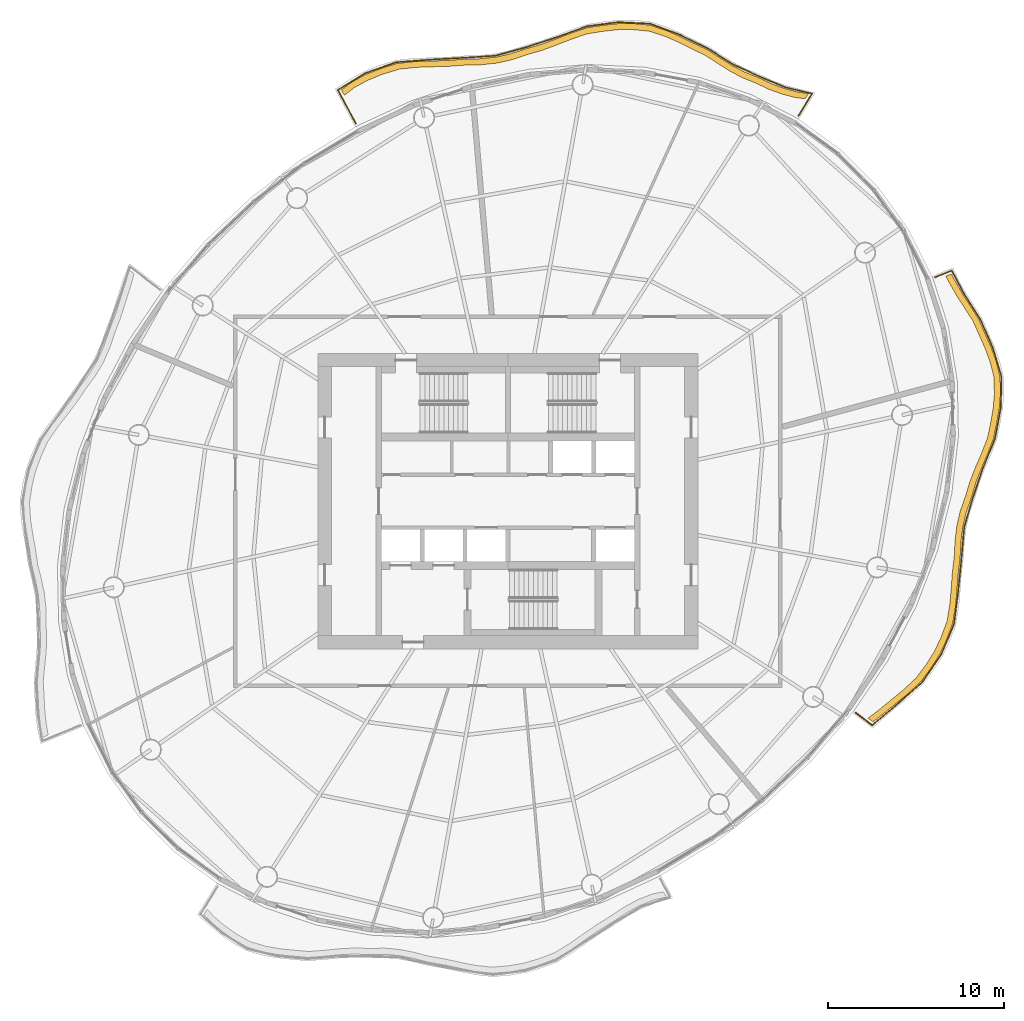
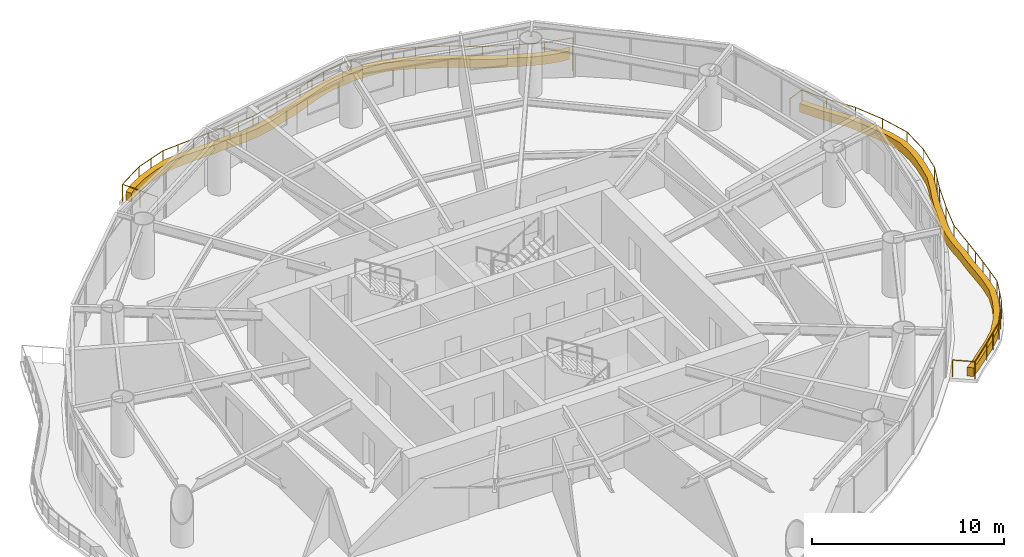
# One storey, part 14 of 14: 2 coverings, 2 railings.
"""IFC4 building model written with IfcOpenShell, lengths in metres."""

import ifcopenshell
import ifcopenshell.guid

model = None  # the IFC model being written
_history = None  # IfcOwnerHistory: only IFC2X3 demands one
_inside = {}  # id of a spatial element -> (the spatial element, [elements in it])
_under = {}  # id of a project, library or spatial element -> (it, [spatial elements below it])
_declared = {}  # id of a project -> (the project, [libraries it declares])
_typed = {}  # id of a type object -> (the type object, [elements of that type])
_made_of = {}  # id of a material, layer set ... -> (it, [elements and type objects made of it])


def new_model(schema):
    """Start an empty IFC model of exactly this schema.

    Asked for "IFC4X3", IfcOpenShell would pick the latest addendum, in which some entities
    have other attributes; the version numbers below select the first issue.
    IFC2X3 requires an IfcOwnerHistory on every rooted entity: one is made here for all.
    """
    global model, _history
    if schema == "IFC4X3":
        model = ifcopenshell.file(schema_version=(4, 3, 0, 0))
    else:
        model = ifcopenshell.file(schema=schema)
    _inside.clear()
    _under.clear()
    _declared.clear()
    _typed.clear()
    _made_of.clear()
    _history = None
    if model.schema == "IFC2X3":
        org = make("IfcOrganization", Name="unknown")
        user = make(
            "IfcPersonAndOrganization",
            ThePerson=make("IfcPerson", FamilyName="unknown"),
            TheOrganization=org,
        )
        app = make(
            "IfcApplication",
            ApplicationDeveloper=org,
            Version="unknown",
            ApplicationFullName="unknown",
            ApplicationIdentifier="unknown",
        )
        _history = make(
            "IfcOwnerHistory",
            OwningUser=user,
            OwningApplication=app,
            ChangeAction="ADDED",
            CreationDate=0,
        )
    return model


def make(cls, **values):
    """One entity of the class cls with the attributes given. An attribute that is None is left unset."""
    return model.create_entity(
        cls, **{name: value for name, value in values.items() if value is not None}
    )


def rooted(cls, **values):
    """An entity with a GlobalId (a new one), such as an element, a storey or a relation."""
    return make(cls, GlobalId=ifcopenshell.guid.new(), OwnerHistory=_history, **values)


def si_unit(unit_type, name, prefix=None):
    """IfcSIUnit, for example si_unit("LENGTHUNIT", "METRE", prefix="MILLI")."""
    return make("IfcSIUnit", UnitType=unit_type, Prefix=prefix, Name=name)


def assignment(units):
    """IfcUnitAssignment: the units of a project."""
    return None if units is None else make("IfcUnitAssignment", Units=units)


def point(xyz):
    """IfcCartesianPoint."""
    return None if xyz is None else make("IfcCartesianPoint", Coordinates=xyz)


def direction(xyz):
    """IfcDirection."""
    return None if xyz is None else make("IfcDirection", DirectionRatios=xyz)


def frame(location, z_axis=None, x_axis=None):
    """IfcAxis2Placement3D, a coordinate frame: its origin and axes. An axis left out is left unset."""
    return make(
        "IfcAxis2Placement3D",
        Location=point(location),
        Axis=direction(z_axis),
        RefDirection=direction(x_axis),
    )


def frame_2d(location, x_axis=None):
    """IfcAxis2Placement2D, a coordinate frame in the plane: its origin and x axis."""
    return make(
        "IfcAxis2Placement2D", Location=point(location), RefDirection=direction(x_axis)
    )


def origin():
    """The frame at (0, 0, 0) with its axes left unset."""
    return frame((0.0, 0.0, 0.0))


def origin_2d():
    """The frame at (0, 0) in the plane with its x axis left unset."""
    return frame_2d((0.0, 0.0))


def place(relative_to, where):
    """IfcLocalPlacement: puts the frame where relative to a parent placement (None: the world)."""
    return make(
        "IfcLocalPlacement", PlacementRelTo=relative_to, RelativePlacement=where
    )


def context(
    kind, dimensions, precision=None, world=None, true_north=None, identifier=None
):
    """IfcGeometricRepresentationContext, for example the 3D "Model" context."""
    return make(
        "IfcGeometricRepresentationContext",
        ContextIdentifier=identifier,
        ContextType=kind,
        CoordinateSpaceDimension=dimensions,
        Precision=precision,
        WorldCoordinateSystem=world,
        TrueNorth=true_north,
    )


def subcontext(parent, identifier, kind, view, scale=None):
    """IfcGeometricRepresentationSubContext, for example "Body" below "Model"."""
    return make(
        "IfcGeometricRepresentationSubContext",
        ContextIdentifier=identifier,
        ContextType=kind,
        ParentContext=parent,
        TargetScale=scale,
        TargetView=view,
    )


def project(units=None, contexts=None):
    """IfcProject with its units and contexts."""
    return rooted(
        "IfcProject",
        Name="project",
        RepresentationContexts=contexts,
        UnitsInContext=assignment(units),
    )


def spatial(cls, under=None, at=None, **own):
    """A site, building, storey or space (cls), placed at a placement, below another one or the project."""
    s = rooted(cls, ObjectPlacement=at, **own)
    if under is not None:
        _under.setdefault(under.id(), (under, []))[1].append(s)
    return s


def polyline(points):
    """IfcPolyline through the points."""
    return make("IfcPolyline", Points=[point(p) for p in points])


def profile(cls, at=None, kind="AREA", **sizes):
    """A parametric profile (cls). Its sizes go by their IFC names, for example OverallWidth=200.0."""
    return make(cls, ProfileType=kind, Position=at, **sizes)


def circle(**sizes):
    """IfcCircleProfileDef."""
    return profile("IfcCircleProfileDef", **sizes)


def outline(outer, holes=None, kind="AREA"):
    """IfcArbitraryClosedProfileDef: a profile drawn as a closed curve; with holes, ...WithVoids."""
    if holes is None:
        return make("IfcArbitraryClosedProfileDef", ProfileType=kind, OuterCurve=outer)
    return make(
        "IfcArbitraryProfileDefWithVoids",
        ProfileType=kind,
        OuterCurve=outer,
        InnerCurves=holes,
    )


def extrude(swept, where, along, depth):
    """IfcExtrudedAreaSolid: the profile swept, set in the frame where, extruded along a direction by depth."""
    return make(
        "IfcExtrudedAreaSolid",
        SweptArea=swept,
        Position=where,
        ExtrudedDirection=direction(along),
        Depth=depth,
    )


def shape(context_of_items, identifier, shape_type, items):
    """IfcShapeRepresentation: the items that make up one representation, for example the "Body"."""
    return make(
        "IfcShapeRepresentation",
        ContextOfItems=context_of_items,
        RepresentationIdentifier=identifier,
        RepresentationType=shape_type,
        Items=items,
    )


def material(Name=None, Category=None):
    """IfcMaterial."""
    return make("IfcMaterial", Name=Name, Category=Category)


def made_of(thing, what):
    """Note that an element or type object is made of a material, layer set ...; save() writes the relation."""
    if what is not None:
        _made_of.setdefault(what.id(), (what, []))[1].append(thing)
    return thing


def type_object(cls, material=None, **own):
    """A type object (cls), such as IfcWallType, which elements share."""
    return made_of(rooted(cls, **own), material)


def element(
    cls,
    number,
    at=None,
    inside=None,
    cuts=None,
    type_object=None,
    material=None,
    context=None,
    identifier="Body",
    shape_type=None,
    held_by="IfcProductDefinitionShape",
    body=None,
    shapes=None,
    **own,
):
    """One element of the class cls, such as IfcWall. Its Tag is "e" and its number.

    at: its placement. inside: the storey or other place that contains it. cuts: it is an
    opening in that element (IfcRelVoidsElement). A single representation is given by context,
    identifier, shape_type and body (its items); several are given by shapes. held_by: the class
    of the entity that holds the representations. save() writes the other relations.
    """
    e = rooted(cls, Tag="e%d" % number, ObjectPlacement=at, **own)
    if body is not None:
        shapes = [shape(context, identifier, shape_type, body)]
    if shapes is not None:
        e.Representation = make(held_by, Representations=shapes)
    if inside is not None:
        _inside.setdefault(inside.id(), (inside, []))[1].append(e)
    if cuts is not None:
        rooted(
            "IfcRelVoidsElement", RelatingBuildingElement=cuts, RelatedOpeningElement=e
        )
    if type_object is not None:
        _typed.setdefault(type_object.id(), (type_object, []))[1].append(e)
    return made_of(e, material)


def aggregate(whole, parts):
    """IfcRelAggregates: a whole, such as a stair, and the parts it consists of."""
    return rooted("IfcRelAggregates", RelatingObject=whole, RelatedObjects=parts)


def save(model, path):
    """Write the relations noted so far, then the file.

    IfcRelAggregates (storeys below a building ...), IfcRelContainedInSpatialStructure (elements
    in a storey), IfcRelDefinesByType, IfcRelAssociatesMaterial and IfcRelDeclares: one each for
    every whole, place, type object, material and project.
    """
    for whole, parts in _under.values():
        aggregate(whole, parts)
    for where, things in _inside.values():
        rooted(
            "IfcRelContainedInSpatialStructure",
            RelatedElements=things,
            RelatingStructure=where,
        )
    for kind, things in _typed.values():
        rooted("IfcRelDefinesByType", RelatedObjects=things, RelatingType=kind)
    for what, things in _made_of.values():
        rooted("IfcRelAssociatesMaterial", RelatedObjects=things, RelatingMaterial=what)
    for by, libraries in _declared.values():
        rooted("IfcRelDeclares", RelatingContext=by, RelatedDefinitions=libraries)
    model.write(path)


model = new_model("IFC4")

# Units and contexts
model_context = context("Model", 3, precision=1e-05, world=origin(), true_north=direction((0.0, 1.0)))
body_context = subcontext(model_context, "Body", "Model", "MODEL_VIEW")
ifc_project = project(units=[si_unit("LENGTHUNIT", "METRE"), si_unit("AREAUNIT", "SQUARE_METRE"), si_unit("VOLUMEUNIT", "CUBIC_METRE"), si_unit("PLANEANGLEUNIT", "RADIAN"), si_unit("MASSUNIT", "GRAM", prefix="KILO")], contexts=[model_context])

# Site, building, storey
site_placement = place(None, origin())
site = spatial("IfcSite", under=ifc_project, at=site_placement, CompositionType="ELEMENT")
building_placement = place(site_placement, origin())
building = spatial("IfcBuilding", under=site, at=building_placement, Name="Vermilion Reach Broadcast Tower", CompositionType="ELEMENT")
storey_placement = place(building_placement, frame((0.0, 0.0, 195.699951171875)))
storey = spatial("IfcBuildingStorey", under=building, at=storey_placement, Name="L47", CompositionType="ELEMENT", Elevation=195.699951171875)

# Coverings
ifc_material_1 = material(Name="Planting soil and greenery")
covering_type = type_object("IfcCoveringType", Name="Balcony PLANTER", PredefinedType="USERDEFINED", material=ifc_material_1)
placement = place(storey_placement, origin())
element("IfcCovering", 1, at=placement, inside=storey, type_object=covering_type, Name="PLANTER L47 group 1", ObjectType="PLANTER", PredefinedType="USERDEFINED", context=body_context, shape_type="SweptSolid", body=[
    extrude(outline(polyline([(11.100830078125, 23.192626953125), (10.491455078125, 23.2724609375), (9.7421875, 23.474609375), (9.021484375, 23.73193359375), (8.264404296875, 24.090576171875), (7.4716796875, 24.41064453125), (6.777099609375, 24.77587890625), (6.1015625, 25.197265625), (5.328125, 25.693115234375), (4.476806640625, 26.095458984375), (3.737060546875, 26.463134765625), (2.989990234375, 26.7900390625), (2.071044921875, 27.08447265625), (1.095947265625, 27.174560546875), (0.279541015625, 27.169677734375), (-0.540771484375, 27.0830078125), (-1.498291015625, 26.9365234375), (-2.4462890625, 26.617919921875), (-3.259521484375, 26.29736328125), (-4.074462890625, 25.997802734375), (-4.96533203125, 25.743896484375), (-5.85302734375, 25.45068359375), (-6.68896484375, 25.264404296875), (-7.544189453125, 25.171875), (-8.4912109375, 25.14697265625), (-9.46630859375, 25.069091796875), (-10.37890625, 25.044677734375), (-11.288818359375, 25.01318359375), (-12.306884765625, 24.900146484375), (-13.28759765625, 24.6005859375), (-14.111328125, 24.266357421875), (-14.8916015625, 23.837890625), (-15.47119140625, 23.3984375), (-15.307373046875, 23.089111328125), (-14.744873046875, 23.520263671875), (-13.964599609375, 23.948486328125), (-13.140869140625, 24.28271484375), (-12.178466796875, 24.57470703125), (-11.178955078125, 24.680908203125), (-10.268798828125, 24.71240234375), (-9.3564453125, 24.73681640625), (-8.40087890625, 24.80908203125), (-7.4736328125, 24.8291015625), (-6.618408203125, 24.921630859375), (-5.782470703125, 25.10791015625), (-4.916015625, 25.397216796875), (-4.046142578125, 25.64892578125), (-3.231201171875, 25.94873046875), (-2.41796875, 26.26904296875), (-1.492431640625, 26.586669921875), (-0.557373046875, 26.7333984375), (0.262939453125, 26.820068359375), (1.079345703125, 26.824951171875), (2.03076171875, 26.73681640625), (2.92626953125, 26.44580078125), (3.67333984375, 26.119140625), (4.4130859375, 25.75146484375), (5.240234375, 25.354248046875), (5.98974609375, 24.86572265625), (6.665283203125, 24.4443359375), (7.35986328125, 24.0791015625), (8.128173828125, 23.768310546875), (8.861572265625, 23.420654296875), (9.582275390625, 23.163330078125), (10.33154296875, 22.961181640625), (10.91748046875, 22.89453125), (11.100830078125, 23.192626953125)])), origin(), (0.0, 0.0, 1.0), 0.550048828125),
])
element("IfcCovering", 2, at=placement, inside=storey, type_object=covering_type, Name="PLANTER L47 group 4", ObjectType="PLANTER", PredefinedType="USERDEFINED", context=body_context, shape_type="SweptSolid", body=[
    extrude(outline(polyline([(14.76171875, -12.552978515625), (15.3125, -12.133544921875), (16.0283203125, -11.5458984375), (16.74658203125, -10.960205078125), (17.505615234375, -10.250244140625), (18.108642578125, -9.43798828125), (18.573486328125, -8.695068359375), (18.94921875, -7.9052734375), (19.302734375, -6.952880859375), (19.46875, -5.9560546875), (19.5439453125, -5.06787109375), (19.6083984375, -4.17529296875), (19.724609375, -3.21484375), (19.775634765625, -2.28125), (19.8818359375, -1.44580078125), (20.075439453125, -0.632080078125), (20.375732421875, 0.230712890625), (20.634521484375, 1.09521484375), (20.941650390625, 1.88037109375), (21.278076171875, 2.661865234375), (21.6298828125, 3.578125), (21.818359375, 4.51171875), (21.95556640625, 5.308837890625), (22.020263671875, 6.1044921875), (22.0, 7.072265625), (21.766845703125, 7.995361328125), (21.494384765625, 8.736083984375), (21.17041015625, 9.46826171875), (20.797119140625, 10.326904296875), (20.30615234375, 11.10546875), (19.876953125, 11.764404296875), (19.490234375, 12.437255859375), (19.229248046875, 12.9228515625), (18.905517578125, 12.79052734375), (19.156982421875, 12.330078125), (19.543701171875, 11.657470703125), (19.972900390625, 10.998291015625), (20.45703125, 10.244873046875), (20.8251953125, 9.411865234375), (21.14892578125, 8.6796875), (21.42138671875, 7.93896484375), (21.6513671875, 7.04052734375), (21.67041015625, 6.097412109375), (21.605712890625, 5.3017578125), (21.468505859375, 4.5048828125), (21.280517578125, 3.594970703125), (20.930419921875, 2.7021484375), (20.593994140625, 1.920654296875), (20.286865234375, 1.135498046875), (20.03125, 0.29345703125), (19.73583984375, -0.54736328125), (19.542236328125, -1.361083984375), (19.43603515625, -2.196533203125), (19.390869140625, -3.10986328125), (19.281494140625, -4.050048828125), (19.21728515625, -4.942626953125), (19.141845703125, -5.830810546875), (18.98388671875, -6.808837890625), (18.63916015625, -7.74267578125), (18.263427734375, -8.532470703125), (17.798828125, -9.275390625), (17.205322265625, -10.070556640625), (16.45703125, -10.763916015625), (15.73876953125, -11.349609375), (15.02294921875, -11.93701171875), (14.483154296875, -12.341064453125), (14.76171875, -12.552978515625)])), origin(), (0.0, 0.0, 1.0), 0.550048828125),
])

# Railings
ifc_material_2 = material(Name="Stainless steel 316 balustrade", Category="steel")
railing_type = type_object("IfcRailingType", Name="Balcony guard 1100", PredefinedType="BALUSTRADE", material=ifc_material_2)
railing_1_placement = place(storey_placement, frame((10.52587890625, 21.915771484375, 0.0)))
element("IfcRailing", 3, at=railing_1_placement, inside=storey, type_object=railing_type, Name="Balcony guard L47 group 1", PredefinedType="BALUSTRADE", context=body_context, shape_type="SweptSolid", body=[
    extrude(circle(Radius=0.02490234375, at=origin_2d()), frame((0.0, 0.0, 1.0751953125), z_axis=(0.524124987148, 0.851641355177, 0.0), x_axis=(-0.851641355177, 0.524124987148, 0.0)), (0.0, 0.0, 1.0), 1.482666015625),
    extrude(circle(Radius=0.02490234375, at=origin_2d()), frame((0.777099609375, 1.2626953125, 1.0751953125), z_axis=(-0.972186220647, 0.234209206448, 0.0), x_axis=(-0.234209206448, -0.972186220647, 0.0)), (0.0, 0.0, 1.0), 1.56787109375),
    extrude(circle(Radius=0.02490234375, at=origin_2d()), frame((-0.7470703125, 1.6298828125, 1.0751953125), z_axis=(-0.922928527839, 0.384971339843, 0.0), x_axis=(-0.384971339843, -0.922928527839, 0.0)), (0.0, 0.0, 1.0), 1.60693359375),
    extrude(circle(Radius=0.02490234375, at=origin_2d()), frame((-2.230224609375, 2.24853515625, 1.0751953125), z_axis=(-0.908371979813, 0.418163061844, 0.0), x_axis=(-0.418163061844, -0.908371979813, 0.0)), (0.0, 0.0, 1.0), 1.6435546875),
    extrude(circle(Radius=0.02490234375, at=origin_2d()), frame((-3.72314453125, 2.935791015625, 1.0751953125), z_axis=(-0.845380975016, 0.534163839174, 0.0), x_axis=(-0.534163839174, -0.845380975016, 0.0)), (0.0, 0.0, 1.0), 1.720458984375),
    extrude(circle(Radius=0.02490234375, at=origin_2d()), frame((-5.177490234375, 3.854736328125, 1.0751953125), z_axis=(-0.900456815771, 0.434945425233, 0.0), x_axis=(-0.434945425233, -0.900456815771, 0.0)), (0.0, 0.0, 1.0), 1.773193359375),
    extrude(circle(Radius=0.02490234375, at=origin_2d()), frame((-6.774169921875, 4.6259765625, 1.0751953125), z_axis=(-0.937192712592, 0.34881201164, 0.0), x_axis=(-0.34881201164, -0.937192712592, 0.0)), (0.0, 0.0, 1.0), 1.783447265625),
    extrude(circle(Radius=0.02490234375, at=origin_2d()), frame((-8.445556640625, 5.248046875, 1.0751953125), z_axis=(-0.998858290933, 0.047771483479, 0.0), x_axis=(-0.047771483479, -0.998858290933, 0.0)), (0.0, 0.0, 1.0), 1.798828125),
    extrude(circle(Radius=0.02490234375, at=origin_2d()), frame((-10.242431640625, 5.333984375, 1.0751953125), z_axis=(-0.991557960062, -0.129664227285, 0.0), x_axis=(0.129664227285, -0.991557960062, 0.0)), (0.0, 0.0, 1.0), 1.798095703125),
    extrude(circle(Radius=0.02490234375, at=origin_2d()), frame((-12.025390625, 5.100830078125, 1.0751953125), z_axis=(-0.940289517868, -0.340375707988, 0.0), x_axis=(0.340375707988, -0.940289517868, 0.0)), (0.0, 0.0, 1.0), 1.87841796875),
    extrude(circle(Radius=0.02490234375, at=origin_2d()), frame((-13.791748046875, 4.46142578125, 1.0751953125), z_axis=(-0.951323987789, -0.308192586311, 0.0), x_axis=(0.308192586311, -0.951323987789, 0.0)), (0.0, 0.0, 1.0), 1.79833984375),
    extrude(circle(Radius=0.02490234375, at=origin_2d()), frame((-15.50244140625, 3.9072265625, 1.0751953125), z_axis=(-0.963506210562, -0.267685976861, 0.0), x_axis=(0.267685976861, -0.963506210562, 0.0)), (0.0, 0.0, 1.0), 1.7939453125),
    extrude(circle(Radius=0.02490234375, at=origin_2d()), frame((-17.23095703125, 3.427001953125, 1.0751953125), z_axis=(-0.997859690188, -0.065391426799, 0.0), x_axis=(0.065391426799, -0.997859690188, 0.0)), (0.0, 0.0, 1.0), 1.810791015625),
    extrude(circle(Radius=0.02490234375, at=origin_2d()), frame((-19.037841796875, 3.30859375, 1.0751953125), z_axis=(-0.998499740893, -0.054756437404, 0.0), x_axis=(0.054756437404, -0.998499740893, 0.0)), (0.0, 0.0, 1.0), 1.89501953125),
    extrude(circle(Radius=0.02490234375, at=origin_2d()), frame((-20.929931640625, 3.204833984375, 1.0751953125), z_axis=(-0.997157337017, -0.07534749653, 0.0), x_axis=(0.07534749653, -0.997157337017, 0.0)), (0.0, 0.0, 1.0), 1.937744140625),
    extrude(circle(Radius=0.02490234375, at=origin_2d()), frame((-22.862060546875, 3.058837890625, 1.0751953125), z_axis=(-0.943412766883, -0.331620794406, 0.0), x_axis=(0.331620794406, -0.943412766883, 0.0)), (0.0, 0.0, 1.0), 1.9169921875),
    extrude(circle(Radius=0.02490234375, at=origin_2d()), frame((-24.670654296875, 2.423095703125, 1.0751953125), z_axis=(-0.85037231248, -0.526181461255, 0.0), x_axis=(0.526181461255, -0.85037231248, 0.0)), (0.0, 0.0, 1.0), 1.796142578125),
    extrude(circle(Radius=0.02490234375, at=origin_2d()), frame((-26.197998046875, 1.47802734375, 1.0751953125), z_axis=(0.468245211968, -0.883598563528, 0.0), x_axis=(0.883598563528, 0.468245211968, 0.0)), (0.0, 0.0, 1.0), 2.164794921875),
    extrude(circle(Radius=0.02490234375, at=origin_2d()), origin(), (0.0, 0.0, 1.0), 1.050048828125),
    extrude(circle(Radius=0.02490234375, at=origin_2d()), frame((0.777099609375, 1.2626953125, 0.0)), (0.0, 0.0, 1.0), 1.050048828125),
    extrude(circle(Radius=0.02490234375, at=origin_2d()), frame((-0.7470703125, 1.6298828125, 0.0)), (0.0, 0.0, 1.0), 1.050048828125),
    extrude(circle(Radius=0.02490234375, at=origin_2d()), frame((-2.230224609375, 2.24853515625, 0.0)), (0.0, 0.0, 1.0), 1.050048828125),
    extrude(circle(Radius=0.02490234375, at=origin_2d()), frame((-3.72314453125, 2.935791015625, 0.0)), (0.0, 0.0, 1.0), 1.050048828125),
    extrude(circle(Radius=0.02490234375, at=origin_2d()), frame((-5.177490234375, 3.854736328125, 0.0)), (0.0, 0.0, 1.0), 1.050048828125),
    extrude(circle(Radius=0.02490234375, at=origin_2d()), frame((-6.774169921875, 4.6259765625, 0.0)), (0.0, 0.0, 1.0), 1.050048828125),
    extrude(circle(Radius=0.02490234375, at=origin_2d()), frame((-8.445556640625, 5.248046875, 0.0)), (0.0, 0.0, 1.0), 1.050048828125),
    extrude(circle(Radius=0.02490234375, at=origin_2d()), frame((-10.242431640625, 5.333984375, 0.0)), (0.0, 0.0, 1.0), 1.050048828125),
    extrude(circle(Radius=0.02490234375, at=origin_2d()), frame((-12.025390625, 5.100830078125, 0.0)), (0.0, 0.0, 1.0), 1.050048828125),
    extrude(circle(Radius=0.02490234375, at=origin_2d()), frame((-12.90869140625, 4.78125, 0.0)), (0.0, 0.0, 1.0), 1.050048828125),
    extrude(circle(Radius=0.02490234375, at=origin_2d()), frame((-13.791748046875, 4.46142578125, 0.0)), (0.0, 0.0, 1.0), 1.050048828125),
    extrude(circle(Radius=0.02490234375, at=origin_2d()), frame((-15.50244140625, 3.9072265625, 0.0)), (0.0, 0.0, 1.0), 1.050048828125),
    extrude(circle(Radius=0.02490234375, at=origin_2d()), frame((-17.23095703125, 3.427001953125, 0.0)), (0.0, 0.0, 1.0), 1.050048828125),
    extrude(circle(Radius=0.02490234375, at=origin_2d()), frame((-18.13427734375, 3.36767578125, 0.0)), (0.0, 0.0, 1.0), 1.050048828125),
    extrude(circle(Radius=0.02490234375, at=origin_2d()), frame((-19.037841796875, 3.30859375, 0.0)), (0.0, 0.0, 1.0), 1.050048828125),
    extrude(circle(Radius=0.02490234375, at=origin_2d()), frame((-19.98388671875, 3.2568359375, 0.0)), (0.0, 0.0, 1.0), 1.050048828125),
    extrude(circle(Radius=0.02490234375, at=origin_2d()), frame((-20.929931640625, 3.204833984375, 0.0)), (0.0, 0.0, 1.0), 1.050048828125),
    extrude(circle(Radius=0.02490234375, at=origin_2d()), frame((-21.89599609375, 3.1318359375, 0.0)), (0.0, 0.0, 1.0), 1.050048828125),
    extrude(circle(Radius=0.02490234375, at=origin_2d()), frame((-22.862060546875, 3.058837890625, 0.0)), (0.0, 0.0, 1.0), 1.050048828125),
    extrude(circle(Radius=0.02490234375, at=origin_2d()), frame((-23.766357421875, 2.740966796875, 0.0)), (0.0, 0.0, 1.0), 1.050048828125),
    extrude(circle(Radius=0.02490234375, at=origin_2d()), frame((-24.670654296875, 2.423095703125, 0.0)), (0.0, 0.0, 1.0), 1.050048828125),
    extrude(circle(Radius=0.02490234375, at=origin_2d()), frame((-26.197998046875, 1.47802734375, 0.0)), (0.0, 0.0, 1.0), 1.050048828125),
    extrude(circle(Radius=0.02490234375, at=origin_2d()), frame((-25.691162109375, 0.521484375, 0.0)), (0.0, 0.0, 1.0), 1.050048828125),
    extrude(circle(Radius=0.02490234375, at=origin_2d()), frame((-25.184326171875, -0.434814453125, 0.0)), (0.0, 0.0, 1.0), 1.050048828125),
])
railing_2_placement = place(storey_placement, frame((13.786865234375, -12.036865234375, 0.0)))
element("IfcRailing", 4, at=railing_2_placement, inside=storey, type_object=railing_type, Name="Balcony guard L47 group 4", PredefinedType="BALUSTRADE", context=body_context, shape_type="SweptSolid", body=[
    extrude(circle(Radius=0.02490234375, at=origin_2d()), frame((0.0, 0.0, 1.0751953125), z_axis=(0.79570277301, -0.605687293101, 0.0), x_axis=(0.605687293101, 0.79570277301, 0.0)), (0.0, 0.0, 1.0), 1.17822265625),
    extrude(circle(Radius=0.02490234375, at=origin_2d()), frame((0.9375, -0.713623046875, 1.0751953125), z_axis=(0.763293414836, 0.646051981552, 0.0), x_axis=(-0.646051981552, 0.763293414836, 0.0)), (0.0, 0.0, 1.0), 1.794921875),
    extrude(circle(Radius=0.02490234375, at=origin_2d()), frame((2.3076171875, 0.446044921875, 1.0751953125), z_axis=(0.751369762662, 0.659881413405, 0.0), x_axis=(-0.659881413405, 0.751369762662, 0.0)), (0.0, 0.0, 1.0), 1.969482421875),
    extrude(circle(Radius=0.02490234375, at=origin_2d()), frame((3.787353515625, 1.74560546875, 1.0751953125), z_axis=(0.565882079152, 0.824486186964, 0.0), x_axis=(-0.824486186964, 0.565882079152, 0.0)), (0.0, 0.0, 1.0), 1.890869140625),
    extrude(circle(Radius=0.02490234375, at=origin_2d()), frame((4.857421875, 3.3046875, 1.0751953125), z_axis=(0.38632690247, 0.922361927026, 0.0), x_axis=(-0.922361927026, 0.38632690247, 0.0)), (0.0, 0.0, 1.0), 1.893310546875),
    extrude(circle(Radius=0.02490234375, at=origin_2d()), frame((5.5888671875, 5.051025390625, 1.0751953125), z_axis=(0.127519941445, 0.991836006875, 0.0), x_axis=(-0.991836006875, 0.127519941445, 0.0)), (0.0, 0.0, 1.0), 1.905029296875),
    extrude(circle(Radius=0.02490234375, at=origin_2d()), frame((5.831787109375, 6.9404296875, 1.0751953125), z_axis=(0.097716232288, 0.995214317596, 0.0), x_axis=(-0.995214317596, 0.097716232288, 0.0)), (0.0, 0.0, 1.0), 1.866455078125),
    extrude(circle(Radius=0.02490234375, at=origin_2d()), frame((6.01416015625, 8.7978515625, 1.0751953125), z_axis=(0.088965937274, 0.996034669078, 0.0), x_axis=(-0.996034669078, 0.088965937274, 0.0)), (0.0, 0.0, 1.0), 1.781005859375),
    extrude(circle(Radius=0.02490234375, at=origin_2d()), frame((6.172607421875, 10.57177734375, 1.0751953125), z_axis=(0.282309587379, 0.959323353658, 0.0), x_axis=(-0.959323353658, 0.282309587379, 0.0)), (0.0, 0.0, 1.0), 1.7529296875),
    extrude(circle(Radius=0.02490234375, at=origin_2d()), frame((6.66748046875, 12.25341796875, 1.0751953125), z_axis=(0.32400666734, 0.946054797313, 0.0), x_axis=(-0.946054797313, 0.32400666734, 0.0)), (0.0, 0.0, 1.0), 1.748779296875),
    extrude(circle(Radius=0.02490234375, at=origin_2d()), frame((7.234130859375, 13.907958984375, 1.0751953125), z_axis=(0.375007886144, 0.927021620745, 0.0), x_axis=(-0.927021620745, 0.375007886144, 0.0)), (0.0, 0.0, 1.0), 1.837158203125),
    extrude(circle(Radius=0.02490234375, at=origin_2d()), frame((7.923095703125, 15.611083984375, 1.0751953125), z_axis=(0.184380330626, 0.982854970826, 0.0), x_axis=(-0.982854970826, 0.184380330626, 0.0)), (0.0, 0.0, 1.0), 1.766357421875),
    extrude(circle(Radius=0.02490234375, at=origin_2d()), frame((8.248779296875, 17.34716796875, 1.0751953125), z_axis=(0.024830206006, 0.999691682905, 0.0), x_axis=(-0.999691682905, 0.024830206006, 0.0)), (0.0, 0.0, 1.0), 1.769775390625),
    extrude(circle(Radius=0.02490234375, at=origin_2d()), frame((8.292724609375, 19.116455078125, 1.0751953125), z_axis=(-0.29024820167, 0.956951399721, 0.0), x_axis=(-0.956951399721, -0.29024820167, 0.0)), (0.0, 0.0, 1.0), 1.74462890625),
    extrude(circle(Radius=0.02490234375, at=origin_2d()), frame((7.786376953125, 20.785888671875, 1.0751953125), z_axis=(-0.40067184389, 0.916221629036, 0.0), x_axis=(-0.916221629036, -0.40067184389, 0.0)), (0.0, 0.0, 1.0), 1.74267578125),
    extrude(circle(Radius=0.02490234375, at=origin_2d()), frame((7.088134765625, 22.382568359375, 1.0751953125), z_axis=(-0.538276792828, 0.842768114194, 0.0), x_axis=(-0.842768114194, -0.538276792828, 0.0)), (0.0, 0.0, 1.0), 1.712646484375),
    extrude(circle(Radius=0.02490234375, at=origin_2d()), frame((6.166259765625, 23.825927734375, 1.0751953125), z_axis=(-0.466765644798, 0.884381045046, 0.0), x_axis=(-0.884381045046, -0.466765644798, 0.0)), (0.0, 0.0, 1.0), 1.510009765625),
    extrude(circle(Radius=0.02490234375, at=origin_2d()), frame((5.46142578125, 25.161376953125, 1.0751953125), z_axis=(-0.925570015375, -0.378576473963, 0.0), x_axis=(0.378576473963, -0.925570015375, 0.0)), (0.0, 0.0, 1.0), 1.01171875),
    extrude(circle(Radius=0.02490234375, at=origin_2d()), origin(), (0.0, 0.0, 1.0), 1.050048828125),
    extrude(circle(Radius=0.02490234375, at=origin_2d()), frame((0.9375, -0.713623046875, 0.0)), (0.0, 0.0, 1.0), 1.050048828125),
    extrude(circle(Radius=0.02490234375, at=origin_2d()), frame((2.3076171875, 0.446044921875, 0.0)), (0.0, 0.0, 1.0), 1.050048828125),
    extrude(circle(Radius=0.02490234375, at=origin_2d()), frame((3.04736328125, 1.095703125, 0.0)), (0.0, 0.0, 1.0), 1.050048828125),
    extrude(circle(Radius=0.02490234375, at=origin_2d()), frame((3.787353515625, 1.74560546875, 0.0)), (0.0, 0.0, 1.0), 1.050048828125),
    extrude(circle(Radius=0.02490234375, at=origin_2d()), frame((4.322265625, 2.525146484375, 0.0)), (0.0, 0.0, 1.0), 1.050048828125),
    extrude(circle(Radius=0.02490234375, at=origin_2d()), frame((4.857421875, 3.3046875, 0.0)), (0.0, 0.0, 1.0), 1.050048828125),
    extrude(circle(Radius=0.02490234375, at=origin_2d()), frame((5.22314453125, 4.177734375, 0.0)), (0.0, 0.0, 1.0), 1.050048828125),
    extrude(circle(Radius=0.02490234375, at=origin_2d()), frame((5.5888671875, 5.051025390625, 0.0)), (0.0, 0.0, 1.0), 1.050048828125),
    extrude(circle(Radius=0.02490234375, at=origin_2d()), frame((5.71044921875, 5.99560546875, 0.0)), (0.0, 0.0, 1.0), 1.050048828125),
    extrude(circle(Radius=0.02490234375, at=origin_2d()), frame((5.831787109375, 6.9404296875, 0.0)), (0.0, 0.0, 1.0), 1.050048828125),
    extrude(circle(Radius=0.02490234375, at=origin_2d()), frame((5.9228515625, 7.869140625, 0.0)), (0.0, 0.0, 1.0), 1.050048828125),
    extrude(circle(Radius=0.02490234375, at=origin_2d()), frame((6.01416015625, 8.7978515625, 0.0)), (0.0, 0.0, 1.0), 1.050048828125),
    extrude(circle(Radius=0.02490234375, at=origin_2d()), frame((6.172607421875, 10.57177734375, 0.0)), (0.0, 0.0, 1.0), 1.050048828125),
    extrude(circle(Radius=0.02490234375, at=origin_2d()), frame((6.66748046875, 12.25341796875, 0.0)), (0.0, 0.0, 1.0), 1.050048828125),
    extrude(circle(Radius=0.02490234375, at=origin_2d()), frame((7.234130859375, 13.907958984375, 0.0)), (0.0, 0.0, 1.0), 1.050048828125),
    extrude(circle(Radius=0.02490234375, at=origin_2d()), frame((7.57861328125, 14.759521484375, 0.0)), (0.0, 0.0, 1.0), 1.050048828125),
    extrude(circle(Radius=0.02490234375, at=origin_2d()), frame((7.923095703125, 15.611083984375, 0.0)), (0.0, 0.0, 1.0), 1.050048828125),
    extrude(circle(Radius=0.02490234375, at=origin_2d()), frame((8.248779296875, 17.34716796875, 0.0)), (0.0, 0.0, 1.0), 1.050048828125),
    extrude(circle(Radius=0.02490234375, at=origin_2d()), frame((8.292724609375, 19.116455078125, 0.0)), (0.0, 0.0, 1.0), 1.050048828125),
    extrude(circle(Radius=0.02490234375, at=origin_2d()), frame((7.786376953125, 20.785888671875, 0.0)), (0.0, 0.0, 1.0), 1.050048828125),
    extrude(circle(Radius=0.02490234375, at=origin_2d()), frame((7.088134765625, 22.382568359375, 0.0)), (0.0, 0.0, 1.0), 1.050048828125),
    extrude(circle(Radius=0.02490234375, at=origin_2d()), frame((6.166259765625, 23.825927734375, 0.0)), (0.0, 0.0, 1.0), 1.050048828125),
    extrude(circle(Radius=0.02490234375, at=origin_2d()), frame((5.46142578125, 25.161376953125, 0.0)), (0.0, 0.0, 1.0), 1.050048828125),
    extrude(circle(Radius=0.02490234375, at=origin_2d()), frame((4.52490234375, 24.7783203125, 0.0)), (0.0, 0.0, 1.0), 1.050048828125),
])

save(model, "model.ifc")
